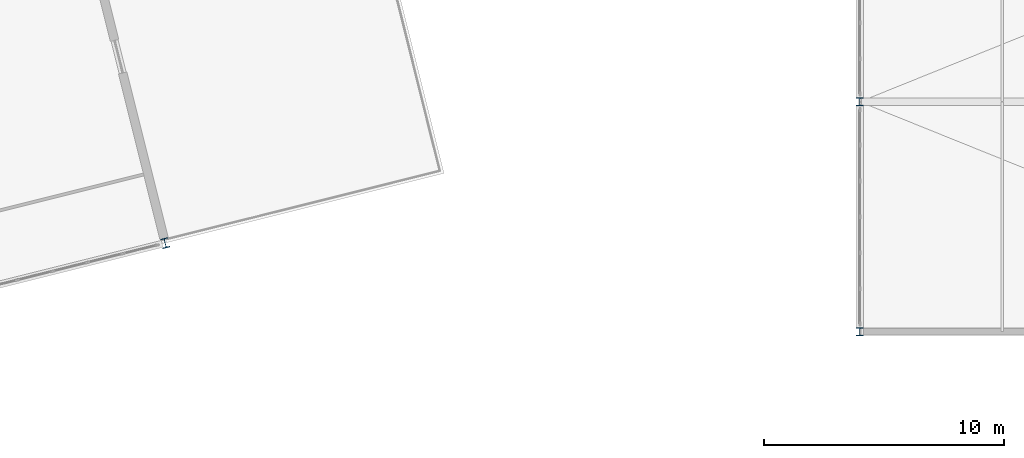
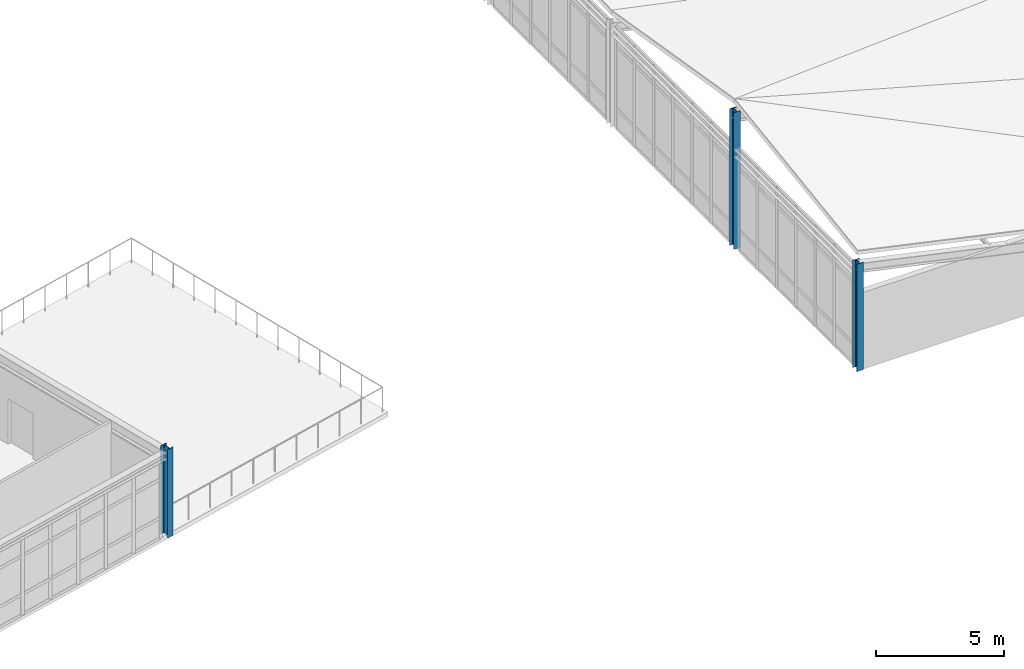
# One storey, part 3 of 64: 3 columns.
"""IFC4 building model written with IfcOpenShell, lengths in metres."""

from ifc_helpers import new_model, si_unit, direction, frame, origin, origin_2d, place, context, subcontext, project, spatial, i_section, extrude, material, material_profile, profile_set, type_object, element, save


model = new_model("IFC4")

# Units and contexts
model_context = context("Model", 3, precision=1e-05, world=origin(), true_north=direction((0.0, 1.0)))
body_context = subcontext(model_context, "Body", "Model", "MODEL_VIEW")
ifc_project = project(units=[si_unit("LENGTHUNIT", "METRE"), si_unit("AREAUNIT", "SQUARE_METRE"), si_unit("VOLUMEUNIT", "CUBIC_METRE"), si_unit("PLANEANGLEUNIT", "RADIAN"), si_unit("MASSUNIT", "GRAM", prefix="KILO")], contexts=[model_context])

# Site, building, storey
site_placement = place(None, origin())
site = spatial("IfcSite", under=ifc_project, at=site_placement, CompositionType="ELEMENT")
building_placement = place(site_placement, origin())
building = spatial("IfcBuilding", under=site, at=building_placement, Name="Nordkorset Police Headquarters", CompositionType="ELEMENT")
storey_placement = place(building_placement, frame((0.0, 0.0, 17.85009765625)))
storey = spatial("IfcBuildingStorey", under=building, at=storey_placement, Name="L04", CompositionType="ELEMENT", Elevation=17.85009765625)

# Columns
ifc_material_1 = material(Name="Steel S355J2", Category="steel")
ifc_material_profile_1 = material_profile(ifc_material_1, i_section(OverallWidth=0.300048828125, OverallDepth=0.340087890625, WebThickness=0.011962890625, FlangeThickness=0.021484375, FilletRadius=0.027099609375, at=origin_2d()), Name="HEB 340")
ifc_profile_set_1 = profile_set([ifc_material_profile_1], Name="Steel S355J2")
column_type_1 = type_object("IfcColumnType", Name="Col_HEB_340", PredefinedType="COLUMN", material=ifc_profile_set_1)
column_1_placement = place(storey_placement, frame((91.39990234375, 48.0, 0.0), z_axis=(0.0, 0.0, 1.0), x_axis=(1.0, 0.0, 0.0)))
element("IfcColumn", 1, at=column_1_placement, inside=storey, type_object=column_type_1, Name="Gymnasium Clerestory Roof Column V5_X1_0 L04", PredefinedType="COLUMN", context=body_context, shape_type="SweptSolid", body=[
    extrude(i_section(OverallWidth=0.300048828125, OverallDepth=0.340087890625, WebThickness=0.011962890625, FlangeThickness=0.021484375, FilletRadius=0.027099609375, at=origin_2d()), origin(), (0.0, 0.0, 1.0), 5.10986328125),
])
column_2_placement = place(storey_placement, frame((91.39990234375, 57.60009765625, 0.0), z_axis=(0.0, 0.0, 1.0), x_axis=(1.0, 0.0, 0.0)))
element("IfcColumn", 2, at=column_2_placement, inside=storey, type_object=column_type_1, Name="Gymnasium Clerestory Roof Column V5_X1_1 L04", PredefinedType="COLUMN", context=body_context, shape_type="SweptSolid", body=[
    extrude(i_section(OverallWidth=0.300048828125, OverallDepth=0.340087890625, WebThickness=0.011962890625, FlangeThickness=0.021484375, FilletRadius=0.027099609375, at=origin_2d()), origin(), (0.0, 0.0, 1.0), 6.510009765625),
])
ifc_material_2 = material(Name="Steel S355J2", Category="steel")
ifc_material_profile_2 = material_profile(ifc_material_2, i_section(OverallWidth=0.300048828125, OverallDepth=0.39990234375, WebThickness=0.013427734375, FlangeThickness=0.02392578125, FilletRadius=0.027099609375, at=origin_2d()), Name="HEB 400")
ifc_profile_set_2 = profile_set([ifc_material_profile_2], Name="Steel S355J2")
column_type_2 = type_object("IfcColumnType", Name="Col_HEB_400", PredefinedType="COLUMN", material=ifc_profile_set_2)
column_3_placement = place(storey_placement, frame((62.40576171875, 51.701416015625, 0.0), z_axis=(0.0, 0.0, 1.0), x_axis=(0.970142500145, 0.242535625038, 0.0)))
element("IfcColumn", 3, at=column_3_placement, inside=storey, type_object=column_type_2, Name="Structural Column V4_U4_V0 L04", PredefinedType="COLUMN", context=body_context, shape_type="SweptSolid", body=[
    extrude(i_section(OverallWidth=0.300048828125, OverallDepth=0.39990234375, WebThickness=0.013427734375, FlangeThickness=0.02392578125, FilletRadius=0.027099609375, at=origin_2d()), origin(), (0.0, 0.0, 1.0), 4.199951171875),
])

save(model, "model.ifc")
